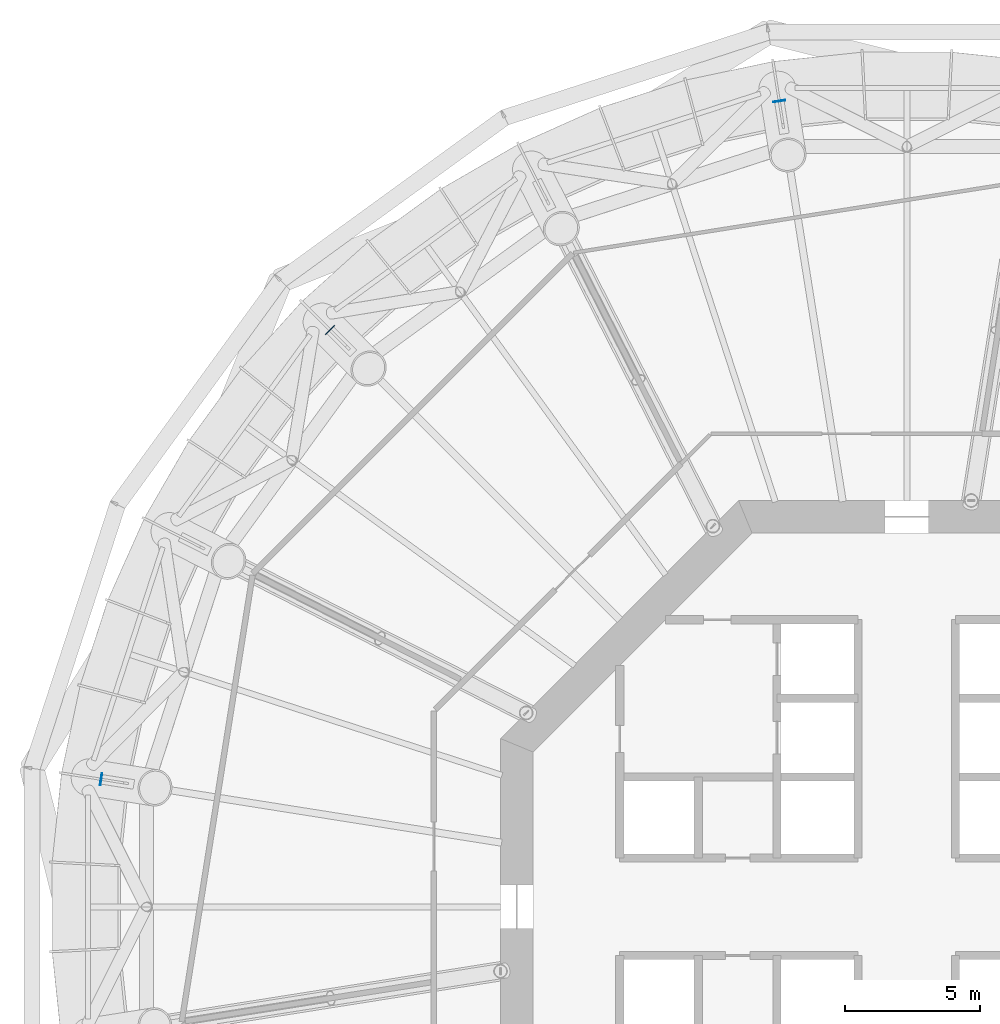
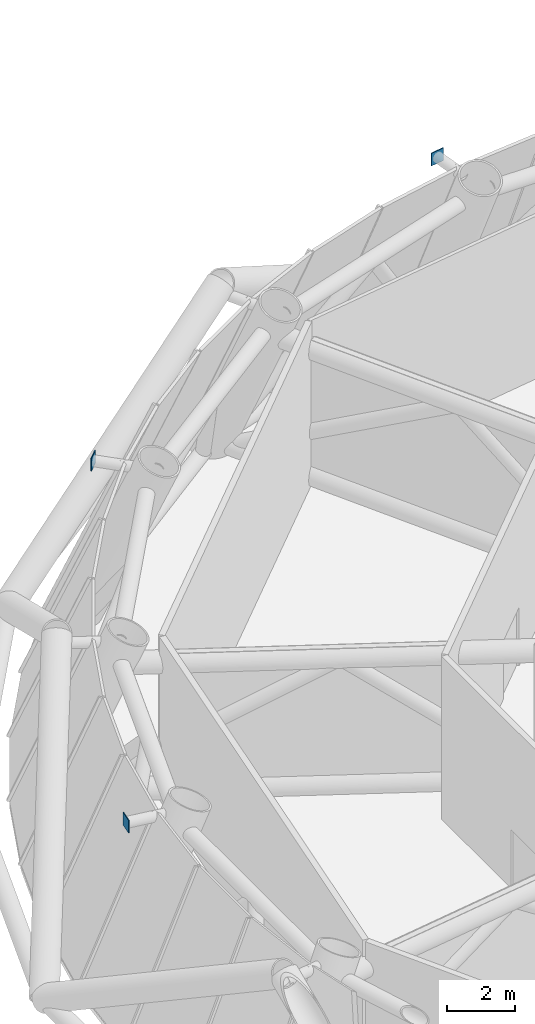
# One storey, part 15 of 18: 3 discrete accessories.
"""IFC4 building model written with IfcOpenShell, lengths in metres."""

from ifc_helpers import new_model, si_unit, direction, frame, origin, origin_2d, place, context, subcontext, project, spatial, rectangle, extrude, material, element, save


model = new_model("IFC4")

# Units and contexts
model_context = context("Model", 3, precision=1e-05, world=origin(), true_north=direction((0.0, 1.0)))
body_context = subcontext(model_context, "Body", "Model", "MODEL_VIEW")
ifc_project = project(units=[si_unit("LENGTHUNIT", "METRE"), si_unit("AREAUNIT", "SQUARE_METRE"), si_unit("VOLUMEUNIT", "CUBIC_METRE"), si_unit("PLANEANGLEUNIT", "RADIAN"), si_unit("MASSUNIT", "GRAM", prefix="KILO")], contexts=[model_context])

# Site, building, storey
site_placement = place(None, origin())
site = spatial("IfcSite", under=ifc_project, at=site_placement, CompositionType="ELEMENT")
building_placement = place(site_placement, origin())
building = spatial("IfcBuilding", under=site, at=building_placement, Name="Entoto Ring Tower", CompositionType="ELEMENT")
storey_placement = place(building_placement, frame((0.0, 0.0, 138.0)))
storey = spatial("IfcBuildingStorey", under=building, at=storey_placement, Name="L31", CompositionType="ELEMENT", Elevation=138.0)

# Discrete accessories
ifc_material = material(Name="Steel S355", Category="steel")
for number, where, z_axis, x_axis, name in (
    (1, (85.2890625, 109.744140625, 5.4443359375), (0.0, 0.0, 1.0), (-0.15643446504, 0.987688340595, 0.0), "Node strut end plate DS1 ring 10 06"),
    (2, (68.70556640625, 101.29443359375, 5.4443359375), (0.0, 0.0, 1.0), (-0.707106781187, 0.707106781187, 0.0), "Node strut end plate DS1 ring 10 08"),
    (3, (60.255859375, 84.7109375, 5.4443359375), (0.0, 0.0, 1.0), (-0.987688340595, 0.15643446504, 0.0), "Node strut end plate DS1 ring 10 10"),
):
    element("IfcDiscreteAccessory", number, at=place(storey_placement, frame(where, z_axis=z_axis, x_axis=x_axis)), inside=storey, material=ifc_material, Name=name, PredefinedType="BRACKET", context=body_context, shape_type="SweptSolid", body=[
        extrude(rectangle(XDim=0.030029296875, YDim=0.45556640625, at=origin_2d()), origin(), (0.0, 0.0, 1.0), 0.45556640625),
    ])

save(model, "model.ifc")
